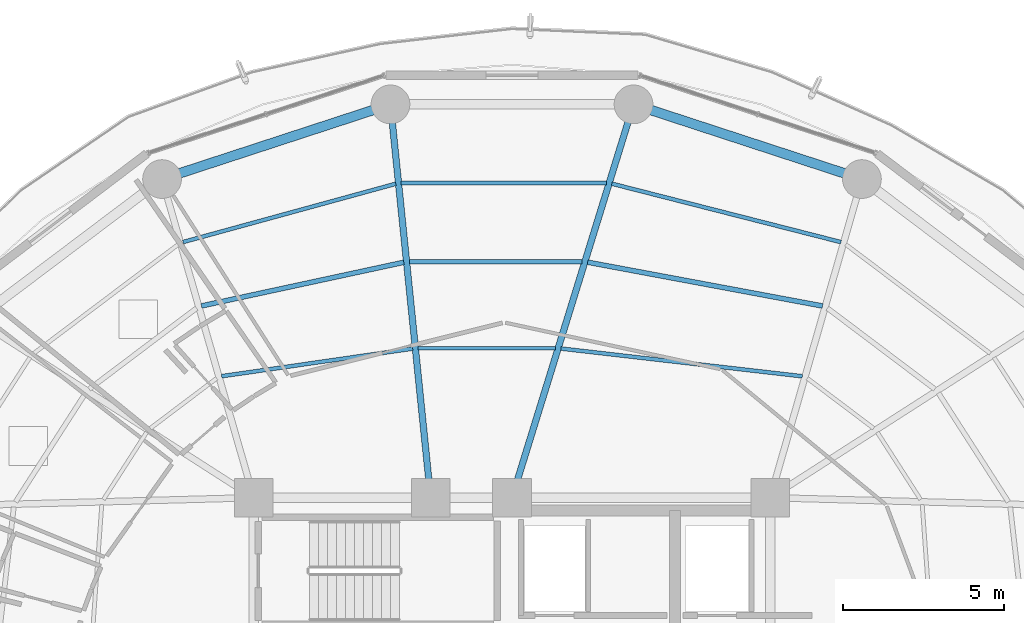
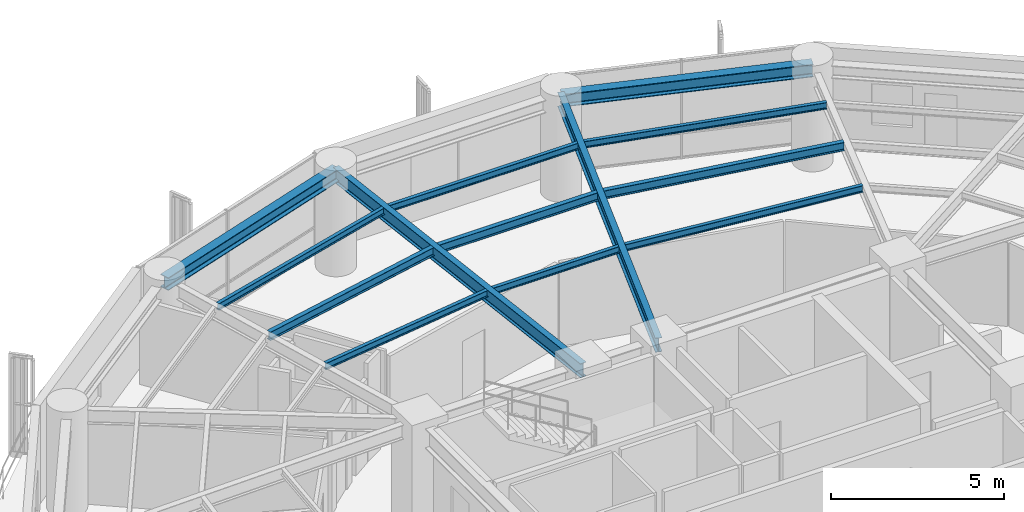
# One storey, part 17 of 27: 13 beams.
"""IFC4 building model written with IfcOpenShell, lengths in metres."""

from ifc_helpers import new_model, si_unit, direction, frame, origin, origin_2d, place, context, subcontext, project, spatial, i_section, extrude, material, material_profile, profile_set, type_object, element, save


model = new_model("IFC4")

# Units and contexts
model_context = context("Model", 3, precision=1e-05, world=origin(), true_north=direction((0.0, 1.0)))
body_context = subcontext(model_context, "Body", "Model", "MODEL_VIEW")
ifc_project = project(units=[si_unit("LENGTHUNIT", "METRE"), si_unit("AREAUNIT", "SQUARE_METRE"), si_unit("VOLUMEUNIT", "CUBIC_METRE"), si_unit("PLANEANGLEUNIT", "RADIAN"), si_unit("MASSUNIT", "GRAM", prefix="KILO")], contexts=[model_context])

# Site, building, storey
site_placement = place(None, origin())
site = spatial("IfcSite", under=ifc_project, at=site_placement, CompositionType="ELEMENT")
building_placement = place(site_placement, origin())
building = spatial("IfcBuilding", under=site, at=building_placement, Name="Kelanora Arch Commons", CompositionType="ELEMENT")
storey_placement = place(building_placement, frame((0.0, 0.0, 165.60009765625)))
storey = spatial("IfcBuildingStorey", under=building, at=storey_placement, Name="L42", CompositionType="ELEMENT", Elevation=165.60009765625)

# Beams
ifc_material = material(Name="Steel S355", Category="steel")
ifc_material_profile_1 = material_profile(ifc_material, i_section(OverallWidth=0.14990234375, OverallDepth=0.300048828125, WebThickness=0.007080078125, FlangeThickness=0.0107421875, FilletRadius=0.014892578125, at=origin_2d()), Name="IPE300")
ifc_profile_set_1 = profile_set([ifc_material_profile_1], Name="Steel S355")
beam_type_1 = type_object("IfcBeamType", Name="BM-JST-01", PredefinedType="JOIST", material=ifc_profile_set_1)
beam_1_placement = place(storey_placement, frame((83.620361328125, 70.937744140625, 3.33984375), z_axis=(-0.983054256126, 0.183314837134, 0.0), x_axis=(-0.183314837134, -0.983054256126, 0.0)))
element("IfcBeam", 1, at=beam_1_placement, inside=storey, type_object=beam_type_1, Name="Secondary Chord Joist BJB-06 L42", PredefinedType="JOIST", context=body_context, shape_type="SweptSolid", body=[
    extrude(i_section(OverallWidth=0.14990234375, OverallDepth=0.300048828125, WebThickness=0.007080078125, FlangeThickness=0.0107421875, FilletRadius=0.014892578125, at=origin_2d()), origin(), (0.0, 0.0, 1.0), 7.403564453125),
])
beam_2_placement = place(storey_placement, frame((76.173828125, 72.310546875, 3.33984375), z_axis=(-1.0, 0.0, 0.0), x_axis=(0.0, -1.0, 0.0)))
element("IfcBeam", 2, at=beam_2_placement, inside=storey, type_object=beam_type_1, Name="Secondary Chord Joist BJB-08 L42", PredefinedType="JOIST", context=body_context, shape_type="SweptSolid", body=[
    extrude(i_section(OverallWidth=0.14990234375, OverallDepth=0.300048828125, WebThickness=0.007080078125, FlangeThickness=0.0107421875, FilletRadius=0.014892578125, at=origin_2d()), origin(), (0.0, 0.0, 1.0), 5.355712890625),
])
beam_3_placement = place(storey_placement, frame((70.650146484375, 72.29248046875, 3.33984375), z_axis=(-0.977521966827, -0.210833594029, 0.0), x_axis=(0.210833594029, -0.977521966827, 0.0)))
element("IfcBeam", 3, at=beam_3_placement, inside=storey, type_object=beam_type_1, Name="Secondary Chord Joist BJB-10 L42", PredefinedType="JOIST", context=body_context, shape_type="SweptSolid", body=[
    extrude(i_section(OverallWidth=0.14990234375, OverallDepth=0.300048828125, WebThickness=0.007080078125, FlangeThickness=0.0107421875, FilletRadius=0.014892578125, at=origin_2d()), origin(), (0.0, 0.0, 1.0), 6.415283203125),
])
ifc_material_profile_2 = material_profile(ifc_material, i_section(OverallWidth=0.1201171875, OverallDepth=0.239990234375, WebThickness=0.006103515625, FlangeThickness=0.009765625, FilletRadius=0.014892578125, at=origin_2d()), Name="IPE240")
ifc_profile_set_2 = profile_set([ifc_material_profile_2], Name="Steel S355")
beam_type_2 = type_object("IfcBeamType", Name="BM-JST-02", PredefinedType="JOIST", material=ifc_profile_set_2)
beam_4_placement = place(storey_placement, frame((82.994873046875, 68.760498046875, 3.369873046875), z_axis=(-0.993457414184, 0.114203179475, 0.0), x_axis=(-0.114203179475, -0.993457414184, 0.0)))
element("IfcBeam", 4, at=beam_4_placement, inside=storey, type_object=beam_type_2, Name="Secondary Chord Joist BJA-06 L42", PredefinedType="JOIST", context=body_context, shape_type="SweptSolid", body=[
    extrude(i_section(OverallWidth=0.1201171875, OverallDepth=0.239990234375, WebThickness=0.006103515625, FlangeThickness=0.009765625, FilletRadius=0.014892578125, at=origin_2d()), origin(), (0.0, 0.0, 1.0), 7.529296875),
])
beam_5_placement = place(storey_placement, frame((84.189697265625, 72.917236328125, 3.369873046875), z_axis=(-0.96900232943, 0.247051584815, 0.0), x_axis=(-0.247051584815, -0.96900232943, 0.0)))
element("IfcBeam", 5, at=beam_5_placement, inside=storey, type_object=beam_type_2, Name="Secondary Chord Joist BJC-06 L42", PredefinedType="JOIST", context=body_context, shape_type="SweptSolid", body=[
    extrude(i_section(OverallWidth=0.1201171875, OverallDepth=0.239990234375, WebThickness=0.006103515625, FlangeThickness=0.009765625, FilletRadius=0.014892578125, at=origin_2d()), origin(), (0.0, 0.0, 1.0), 7.32275390625),
])
beam_6_placement = place(storey_placement, frame((75.345703125, 69.6298828125, 3.369873046875), z_axis=(-1.0, 0.0, 0.0), x_axis=(0.0, -1.0, 0.0)))
element("IfcBeam", 6, at=beam_6_placement, inside=storey, type_object=beam_type_2, Name="Secondary Chord Joist BJA-08 L42", PredefinedType="JOIST", context=body_context, shape_type="SweptSolid", body=[
    extrude(i_section(OverallWidth=0.1201171875, OverallDepth=0.239990234375, WebThickness=0.006103515625, FlangeThickness=0.009765625, FilletRadius=0.014892578125, at=origin_2d()), origin(), (0.0, 0.0, 1.0), 4.253662109375),
])
beam_7_placement = place(storey_placement, frame((76.9267578125, 74.747314453125, 3.369873046875), z_axis=(-1.0, 0.0, 0.0), x_axis=(0.0, -1.0, 0.0)))
element("IfcBeam", 7, at=beam_7_placement, inside=storey, type_object=beam_type_2, Name="Secondary Chord Joist BJC-08 L42", PredefinedType="JOIST", context=body_context, shape_type="SweptSolid", body=[
    extrude(i_section(OverallWidth=0.1201171875, OverallDepth=0.239990234375, WebThickness=0.006103515625, FlangeThickness=0.009765625, FilletRadius=0.014892578125, at=origin_2d()), origin(), (0.0, 0.0, 1.0), 6.357666015625),
])
beam_8_placement = place(storey_placement, frame((70.9228515625, 69.617919921875, 3.369873046875), z_axis=(-0.989718726051, -0.143027421508, 0.0), x_axis=(0.143027421508, -0.989718726051, 0.0)))
element("IfcBeam", 8, at=beam_8_placement, inside=storey, type_object=beam_type_2, Name="Secondary Chord Joist BJA-10 L42", PredefinedType="JOIST", context=body_context, shape_type="SweptSolid", body=[
    extrude(i_section(OverallWidth=0.1201171875, OverallDepth=0.239990234375, WebThickness=0.006103515625, FlangeThickness=0.009765625, FilletRadius=0.014892578125, at=origin_2d()), origin(), (0.0, 0.0, 1.0), 5.9794921875),
])
beam_9_placement = place(storey_placement, frame((70.40234375, 74.724853515625, 3.369873046875), z_axis=(-0.964456541131, -0.264241518824, 0.0), x_axis=(0.264241518824, -0.964456541131, 0.0)))
element("IfcBeam", 9, at=beam_9_placement, inside=storey, type_object=beam_type_2, Name="Secondary Chord Joist BJC-10 L42", PredefinedType="JOIST", context=body_context, shape_type="SweptSolid", body=[
    extrude(i_section(OverallWidth=0.1201171875, OverallDepth=0.239990234375, WebThickness=0.006103515625, FlangeThickness=0.009765625, FilletRadius=0.014892578125, at=origin_2d()), origin(), (0.0, 0.0, 1.0), 6.835205078125),
])
ifc_material_profile_3 = material_profile(ifc_material, i_section(OverallWidth=0.199951171875, OverallDepth=0.5, WebThickness=0.01025390625, FlangeThickness=0.01611328125, FilletRadius=0.02099609375, at=origin_2d()), Name="IPE500")
ifc_profile_set_3 = profile_set([ifc_material_profile_3], Name="Steel S355")
beam_type_3 = type_object("IfcBeamType", Name="BM-RAD-Z3", PredefinedType="BEAM", material=ifc_profile_set_3)
beam_10_placement = place(storey_placement, frame((74.0, 65.0, 3.239990234375), z_axis=(0.295210315095, 0.955432294755, 0.0), x_axis=(-0.955432294755, 0.295210315095, 0.0)))
element("IfcBeam", 10, at=beam_10_placement, inside=storey, type_object=beam_type_3, Name="Radial Floor Girder BR-08 L42", PredefinedType="BEAM", context=body_context, shape_type="SweptSolid", body=[
    extrude(i_section(OverallWidth=0.199951171875, OverallDepth=0.5, WebThickness=0.01025390625, FlangeThickness=0.01611328125, FilletRadius=0.02099609375, at=origin_2d()), origin(), (0.0, 0.0, 1.0), 12.75244140625),
])
beam_11_placement = place(storey_placement, frame((71.47998046875, 65.0, 3.239990234375), z_axis=(-0.101623200789, 0.994822961668, 0.0), x_axis=(-0.994822961668, -0.101623200789, 0.0)))
element("IfcBeam", 11, at=beam_11_placement, inside=storey, type_object=beam_type_3, Name="Radial Floor Girder BR-10 L42", PredefinedType="BEAM", context=body_context, shape_type="SweptSolid", body=[
    extrude(i_section(OverallWidth=0.199951171875, OverallDepth=0.5, WebThickness=0.01025390625, FlangeThickness=0.01611328125, FilletRadius=0.02099609375, at=origin_2d()), origin(), (0.0, 0.0, 1.0), 12.24755859375),
])
ifc_material_profile_4 = material_profile(ifc_material, i_section(OverallWidth=0.300048828125, OverallDepth=0.449951171875, WebThickness=0.013916015625, FlangeThickness=0.02587890625, FilletRadius=0.027099609375, at=origin_2d()), Name="HEB450")
ifc_profile_set_4 = profile_set([ifc_material_profile_4], Name="Steel S355")
beam_type_4 = type_object("IfcBeamType", Name="BM-SPN-Z3", PredefinedType="SPANDREL", material=ifc_profile_set_4)
for number, where, z_axis, x_axis, name in (
    (12, (84.840087890625, 74.8701171875, 3.264892578125), (-0.950461975786, 0.310840847676, 0.0), (-0.310840847676, -0.950461975786, 0.0), "Perimeter Spandrel Beam BS-06 L42"),
    (13, (70.2353515625, 77.18408203125, 3.264892578125), (-0.950461975786, -0.310840847676, 0.0), (0.310840847676, -0.950461975786, 0.0), "Perimeter Spandrel Beam BS-10 L42"),
):
    element("IfcBeam", number, at=place(storey_placement, frame(where, z_axis=z_axis, x_axis=x_axis)), inside=storey, type_object=beam_type_4, Name=name, PredefinedType="SPANDREL", context=body_context, shape_type="SweptSolid", body=[
        extrude(i_section(OverallWidth=0.300048828125, OverallDepth=0.449951171875, WebThickness=0.013916015625, FlangeThickness=0.02587890625, FilletRadius=0.027099609375, at=origin_2d()), origin(), (0.0, 0.0, 1.0), 7.444091796875),
    ])

save(model, "model.ifc")
